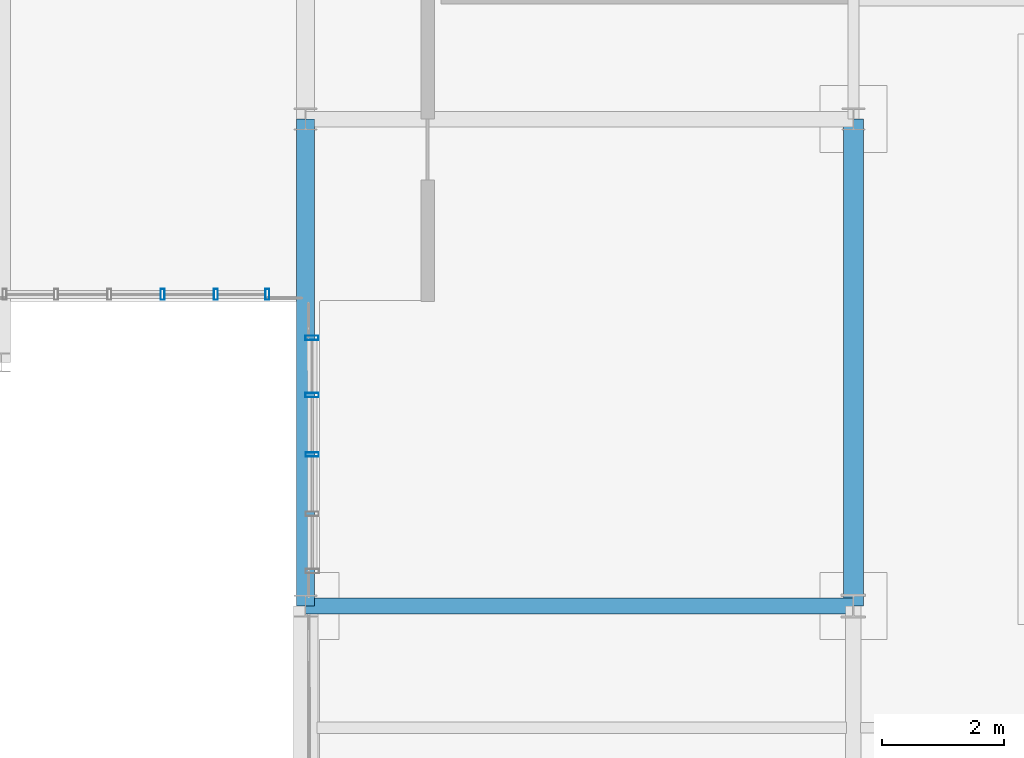
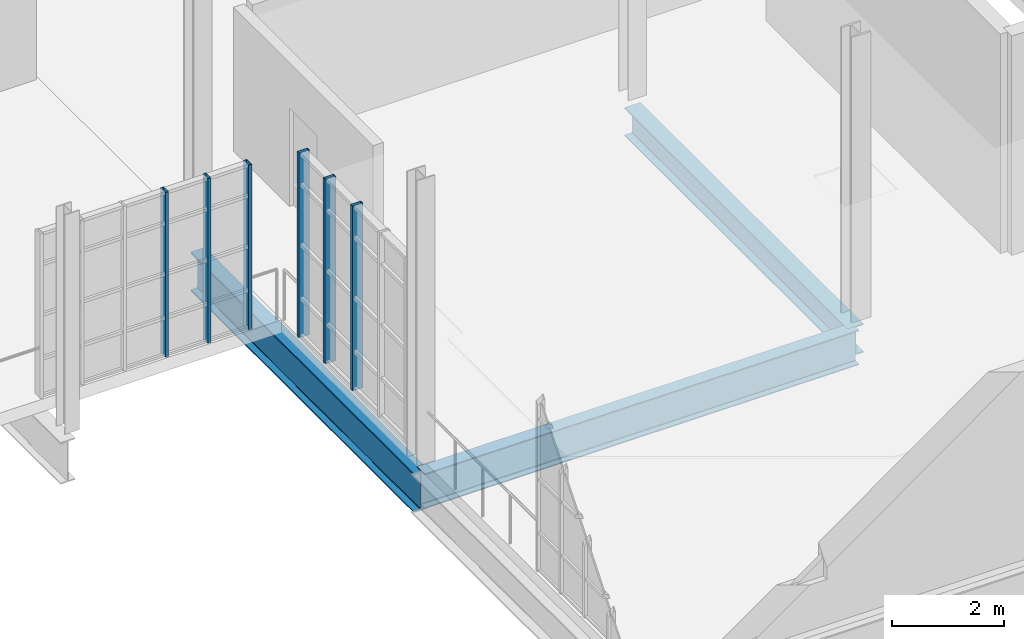
# One storey, part 31 of 118: 6 members, 3 beams, 2 elements without a shape of their own.
"""IFC4 building model written with IfcOpenShell, lengths in metres."""

from ifc_helpers import new_model, si_unit, direction, frame, origin, origin_2d, place, context, subcontext, project, spatial, hollow_rectangle, i_section, extrude, material, layer, layer_set, material_profile, profile_set, type_object, element, aggregate, save


model = new_model("IFC4")

# Units and contexts
model_context = context("Model", 3, precision=1e-05, world=origin(), true_north=direction((0.0, 1.0)))
body_context = subcontext(model_context, "Body", "Model", "MODEL_VIEW")
ifc_project = project(units=[si_unit("LENGTHUNIT", "METRE"), si_unit("AREAUNIT", "SQUARE_METRE"), si_unit("VOLUMEUNIT", "CUBIC_METRE"), si_unit("PLANEANGLEUNIT", "RADIAN"), si_unit("MASSUNIT", "GRAM", prefix="KILO"), si_unit("THERMODYNAMICTEMPERATUREUNIT", "KELVIN"), si_unit("POWERUNIT", "WATT")], contexts=[model_context])

# Site, building, storey
site_placement = place(None, origin())
site = spatial("IfcSite", under=ifc_project, at=site_placement, CompositionType="ELEMENT")
building_placement = place(site_placement, origin())
building = spatial("IfcBuilding", under=site, at=building_placement, Name="Zelmaris Science Centre", CompositionType="ELEMENT")
storey_placement = place(building_placement, frame((0.0, 0.0, 15.60009765625)))
storey = spatial("IfcBuildingStorey", under=building, at=storey_placement, Name="L03", CompositionType="ELEMENT", Elevation=15.60009765625)

# Curtain wall, members
ifc_material_1 = material(Name="Anodised architectural aluminium 6063-T6", Category="aluminium")
ifc_layer_1 = layer(ifc_material_1, 0.2099609375, Name="Anodised architectural aluminium 6063-T6")
ifc_layer_set_1 = layer_set([ifc_layer_1], Name="Anodised architectural aluminium 6063-T6")
curtain_wall_type_1 = type_object("IfcCurtainWallType", Name="Curtain Wall CW-03", PredefinedType="USERDEFINED", material=ifc_layer_set_1)
curtain_wall_1_placement = place(storey_placement, origin())
curtain_wall_1 = element("IfcCurtainWall", 1, at=curtain_wall_1_placement, inside=storey, type_object=curtain_wall_type_1, Name="L03 Unitised curtain wall 311", ObjectType="GLAZED CURTAIN WALL", PredefinedType="USERDEFINED")
ifc_material_profile_1 = material_profile(ifc_material_1, hollow_rectangle(XDim=0.06494140625, YDim=0.179931640625, WallThickness=0.00390625, at=origin_2d()), Name="ALU-MUL-65X180")
ifc_profile_set_1 = profile_set([ifc_material_profile_1], Name="Anodised architectural aluminium 6063-T6")
member_type_1 = type_object("IfcMemberType", Name="ALU-MUL-65X180", PredefinedType="MULLION", material=ifc_profile_set_1)
member_1_placement = place(storey_placement, frame((107.37158203125, 21.1201171875, -0.01513671875), z_axis=(0.0, 0.0, 1.0), x_axis=(-0.999999999986, 5.235988e-06, 0.0)))
member_1 = element("IfcMember", 2, at=member_1_placement, type_object=member_type_1, Name="CW-03 mullion 1", PredefinedType="MULLION", context=body_context, shape_type="SweptSolid", body=[
    extrude(hollow_rectangle(XDim=0.06494140625, YDim=0.179931640625, WallThickness=0.00390625, at=origin_2d()), origin(), (0.0, 0.0, 1.0), 3.615966796875),
])
member_2_placement = place(storey_placement, frame((106.525390625, 21.1201171875, -0.01513671875), z_axis=(0.0, 0.0, 1.0), x_axis=(-0.999999999986, 5.235988e-06, 0.0)))
member_2 = element("IfcMember", 3, at=member_2_placement, type_object=member_type_1, Name="CW-03 mullion 2", PredefinedType="MULLION", context=body_context, shape_type="SweptSolid", body=[
    extrude(hollow_rectangle(XDim=0.06494140625, YDim=0.179931640625, WallThickness=0.00390625, at=origin_2d()), origin(), (0.0, 0.0, 1.0), 3.615966796875),
])
member_3_placement = place(storey_placement, frame((105.650634765625, 21.1201171875, -0.01513671875), z_axis=(0.0, 0.0, 1.0), x_axis=(-0.999999999986, 5.235988e-06, 0.0)))
member_3 = element("IfcMember", 4, at=member_3_placement, type_object=member_type_1, Name="CW-03 mullion 3", PredefinedType="MULLION", context=body_context, shape_type="SweptSolid", body=[
    extrude(hollow_rectangle(XDim=0.06494140625, YDim=0.179931640625, WallThickness=0.00390625, at=origin_2d()), origin(), (0.0, 0.0, 1.0), 3.615966796875),
])
aggregate(curtain_wall_1, [member_1, member_2, member_3])

ifc_layer_2 = layer(ifc_material_1, 0.199951171875, Name="Anodised architectural aluminium 6063-T6")
ifc_layer_set_2 = layer_set([ifc_layer_2], Name="Anodised architectural aluminium 6063-T6")
curtain_wall_type_2 = type_object("IfcCurtainWallType", Name="Curtain Wall CW-02", PredefinedType="USERDEFINED", material=ifc_layer_set_2)
curtain_wall_2_placement = place(storey_placement, origin())
curtain_wall_2 = element("IfcCurtainWall", 5, at=curtain_wall_2_placement, inside=storey, type_object=curtain_wall_type_2, Name="L03 Unitised curtain wall 310", ObjectType="GLAZED CURTAIN WALL", PredefinedType="USERDEFINED")
ifc_material_profile_2 = material_profile(ifc_material_1, hollow_rectangle(XDim=0.074951171875, YDim=0.219970703125, WallThickness=0.0048828125, at=origin_2d()), Name="ALU-MUL-75X220")
ifc_profile_set_2 = profile_set([ifc_material_profile_2], Name="Anodised architectural aluminium 6063-T6")
member_type_2 = type_object("IfcMemberType", Name="ALU-MUL-75X220", PredefinedType="MULLION", material=ifc_profile_set_2)
member_4_placement = place(storey_placement, frame((108.109130859375, 18.4892578125, -0.01513671875), z_axis=(0.0, 0.0, 1.0), x_axis=(-0.001054178673, 0.999999444354, 0.0)))
member_4 = element("IfcMember", 6, at=member_4_placement, type_object=member_type_2, Name="CW-02 mullion 3", PredefinedType="MULLION", context=body_context, shape_type="SweptSolid", body=[
    extrude(hollow_rectangle(XDim=0.074951171875, YDim=0.219970703125, WallThickness=0.0048828125, at=origin_2d()), origin(), (0.0, 0.0, 1.0), 4.044921875),
])
member_5_placement = place(storey_placement, frame((108.10791015625, 19.463623046875, -0.01513671875), z_axis=(0.0, 0.0, 1.0), x_axis=(-0.001054178673, 0.999999444354, 0.0)))
member_5 = element("IfcMember", 7, at=member_5_placement, type_object=member_type_2, Name="CW-02 mullion 4", PredefinedType="MULLION", context=body_context, shape_type="SweptSolid", body=[
    extrude(hollow_rectangle(XDim=0.074951171875, YDim=0.219970703125, WallThickness=0.0048828125, at=origin_2d()), origin(), (0.0, 0.0, 1.0), 4.044921875),
])
member_6_placement = place(storey_placement, frame((108.10693359375, 20.40478515625, -0.01513671875), z_axis=(0.0, 0.0, 1.0), x_axis=(-0.001054178673, 0.999999444354, 0.0)))
member_6 = element("IfcMember", 8, at=member_6_placement, type_object=member_type_2, Name="CW-02 mullion 5", PredefinedType="MULLION", context=body_context, shape_type="SweptSolid", body=[
    extrude(hollow_rectangle(XDim=0.074951171875, YDim=0.219970703125, WallThickness=0.0048828125, at=origin_2d()), origin(), (0.0, 0.0, 1.0), 4.044921875),
])
aggregate(curtain_wall_2, [member_4, member_5, member_6])

# Beams
ifc_material_2 = material(Name="Steel ASTM A992 Grade 50", Category="steel")
ifc_material_profile_3 = material_profile(ifc_material_2, i_section(OverallWidth=0.2919921875, OverallDepth=0.85888671875, WebThickness=0.01708984375, FlangeThickness=0.031005859375, FilletRadius=0.02001953125, at=origin_2d()), Name="W33X169")
ifc_profile_set_3 = profile_set([ifc_material_profile_3], Name="Steel ASTM A992 Grade 50")
beam_type_1 = type_object("IfcBeamType", Name="Beam G-29 W33X169", PredefinedType="BEAM", material=ifc_profile_set_3)
beam_1_placement = place(storey_placement, frame((108.0, 16.0, -0.709716796875), z_axis=(0.0, 1.0, 0.0), x_axis=(-1.0, 0.0, 0.0)))
element("IfcBeam", 9, at=beam_1_placement, inside=storey, type_object=beam_type_1, Name="L03 North-south girder 700", PredefinedType="BEAM", context=body_context, shape_type="SweptSolid", body=[
    extrude(i_section(OverallWidth=0.2919921875, OverallDepth=0.85888671875, WebThickness=0.01708984375, FlangeThickness=0.031005859375, FilletRadius=0.02001953125, at=origin_2d()), origin(), (0.0, 0.0, 1.0), 8.0),
])
ifc_material_profile_4 = material_profile(ifc_material_2, i_section(OverallWidth=0.26708984375, OverallDepth=0.761962890625, WebThickness=0.014404296875, FlangeThickness=0.021484375, FilletRadius=0.01904296875, at=origin_2d()), Name="W30X116")
ifc_profile_set_4 = profile_set([ifc_material_profile_4], Name="Steel ASTM A992 Grade 50")
beam_type_2 = type_object("IfcBeamType", Name="Beam G-33 W30X116", PredefinedType="BEAM", material=ifc_profile_set_4)
beam_2_placement = place(storey_placement, frame((108.0, 16.0, -0.64111328125), z_axis=(1.0, 0.0, 0.0), x_axis=(0.0, 1.0, 0.0)))
element("IfcBeam", 10, at=beam_2_placement, inside=storey, type_object=beam_type_2, Name="L03 East-west girder 735", PredefinedType="BEAM", context=body_context, shape_type="SweptSolid", body=[
    extrude(i_section(OverallWidth=0.26708984375, OverallDepth=0.761962890625, WebThickness=0.014404296875, FlangeThickness=0.021484375, FilletRadius=0.01904296875, at=origin_2d()), origin(), (0.0, 0.0, 1.0), 9.0),
])
ifc_material_profile_5 = material_profile(ifc_material_2, i_section(OverallWidth=0.327880859375, OverallDepth=0.626953125, WebThickness=0.0166015625, FlangeThickness=0.027587890625, FilletRadius=0.014892578125, at=origin_2d()), Name="W24X146")
ifc_profile_set_5 = profile_set([ifc_material_profile_5], Name="Steel ASTM A992 Grade 50")
beam_type_3 = type_object("IfcBeamType", Name="Beam G-37 W24X146", PredefinedType="BEAM", material=ifc_profile_set_5)
beam_3_placement = place(storey_placement, frame((117.0, 16.0, -0.573486328125), z_axis=(0.0, 1.0, 0.0), x_axis=(-1.0, 0.0, 0.0)))
element("IfcBeam", 11, at=beam_3_placement, inside=storey, type_object=beam_type_3, Name="L03 North-south girder 708", PredefinedType="BEAM", context=body_context, shape_type="SweptSolid", body=[
    extrude(i_section(OverallWidth=0.327880859375, OverallDepth=0.626953125, WebThickness=0.0166015625, FlangeThickness=0.027587890625, FilletRadius=0.014892578125, at=origin_2d()), origin(), (0.0, 0.0, 1.0), 8.0),
])

save(model, "model.ifc")
